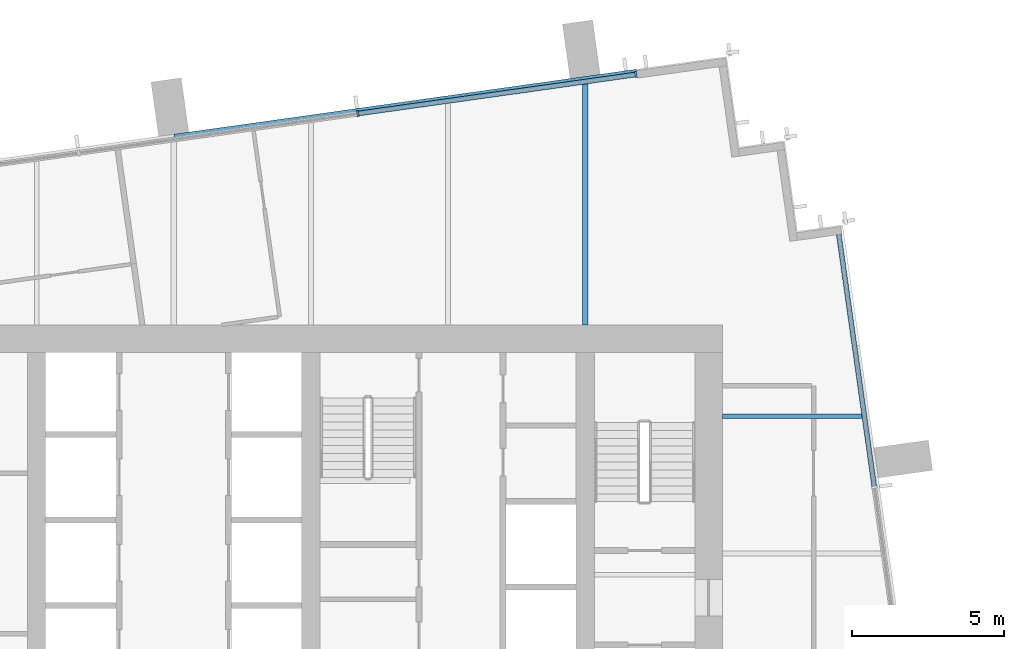
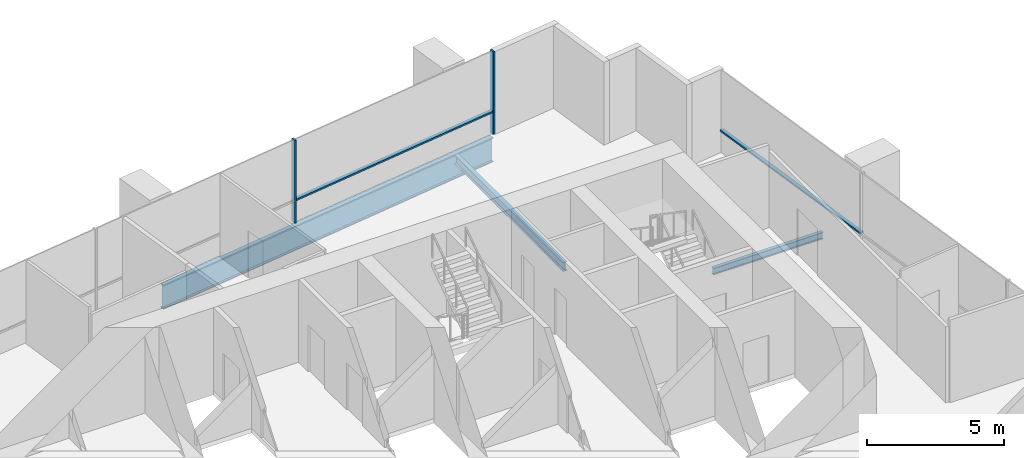
# One storey, part 6 of 12: 4 members, 3 beams, 2 elements without a shape of their own.
"""IFC4 building model written with IfcOpenShell, lengths in metres."""

from ifc_helpers import new_model, si_unit, direction, frame, origin, origin_2d, place, context, subcontext, project, spatial, rectangle, i_section, extrude, material, layer, layer_set, material_profile, profile_set, type_object, element, aggregate, save


model = new_model("IFC4")

# Units and contexts
model_context = context("Model", 3, precision=1e-05, world=origin(), true_north=direction((0.0, 1.0)))
body_context = subcontext(model_context, "Body", "Model", "MODEL_VIEW")
ifc_project = project(units=[si_unit("LENGTHUNIT", "METRE"), si_unit("AREAUNIT", "SQUARE_METRE"), si_unit("VOLUMEUNIT", "CUBIC_METRE"), si_unit("PLANEANGLEUNIT", "RADIAN"), si_unit("MASSUNIT", "GRAM", prefix="KILO")], contexts=[model_context])

# Site, building, storey
site_placement = place(None, origin())
site = spatial("IfcSite", under=ifc_project, at=site_placement, CompositionType="ELEMENT")
building_placement = place(site_placement, origin())
building = spatial("IfcBuilding", under=site, at=building_placement, Name="Rattan Terrace Tower", CompositionType="ELEMENT")
storey_placement = place(building_placement, frame((0.0, 0.0, 282.39990234375)))
storey = spatial("IfcBuildingStorey", under=building, at=storey_placement, Name="L65", CompositionType="ELEMENT", Elevation=282.39990234375)

# Beams
ifc_material_1 = material(Name="Steel S460", Category="steel")
ifc_material_profile_1 = material_profile(ifc_material_1, i_section(OverallWidth=0.179931640625, OverallDepth=1.10009765625, WebThickness=0.01611328125, FlangeThickness=0.050048828125, at=origin_2d()), Name="PG 1100x180-16-50")
ifc_profile_set_1 = profile_set([ifc_material_profile_1], Name="Steel S460")
beam_type_1 = type_object("IfcBeamType", Name="Frame edge girder PG 1100x180-16-50", PredefinedType="SPANDREL", material=ifc_profile_set_1)
beam_1_placement = place(storey_placement, frame((15.18896484375, 15.801025390625, -0.75), z_axis=(-0.99026622182, -0.139186241857, 0.0), x_axis=(0.139186241857, -0.99026622182, 0.0)))
element("IfcBeam", 1, at=beam_1_placement, inside=storey, type_object=beam_type_1, Name="gdr-L65-006", PredefinedType="SPANDREL", context=body_context, shape_type="SweptSolid", body=[
    extrude(i_section(OverallWidth=0.179931640625, OverallDepth=1.10009765625, WebThickness=0.01611328125, FlangeThickness=0.050048828125, at=origin_2d()), origin(), (0.0, 0.0, 1.0), 15.3251953125),
])
ifc_material_2 = material(Name="Steel S355", Category="steel")
ifc_material_profile_2 = material_profile(ifc_material_2, i_section(OverallWidth=0.14990234375, OverallDepth=0.300048828125, WebThickness=0.007080078125, FlangeThickness=0.0107421875, FilletRadius=0.014892578125, at=origin_2d()), Name="IPE 300")
ifc_profile_set_2 = profile_set([ifc_material_profile_2], Name="Steel S355")
beam_type_2 = type_object("IfcBeamType", Name="Frame floor beam IPE 300", PredefinedType="JOIST", material=ifc_profile_set_2)
beam_2_placement = place(storey_placement, frame((18.0, 4.5, -0.349853515625), z_axis=(1.0, 0.0, 0.0), x_axis=(0.0, 1.0, 0.0)))
element("IfcBeam", 2, at=beam_2_placement, inside=storey, type_object=beam_type_2, Name="bm-L65-014", PredefinedType="JOIST", context=body_context, shape_type="SweptSolid", body=[
    extrude(i_section(OverallWidth=0.14990234375, OverallDepth=0.300048828125, WebThickness=0.007080078125, FlangeThickness=0.0107421875, FilletRadius=0.014892578125, at=origin_2d()), origin(), (0.0, 0.0, 1.0), 4.64404296875),
])
ifc_material_3 = material(Name="Steel S355", Category="steel")
ifc_material_profile_3 = material_profile(ifc_material_3, i_section(OverallWidth=0.179931640625, OverallDepth=0.39990234375, WebThickness=0.008544921875, FlangeThickness=0.013427734375, FilletRadius=0.02099609375, at=origin_2d()), Name="IPE 400")
ifc_profile_set_3 = profile_set([ifc_material_profile_3], Name="Steel S355")
beam_type_3 = type_object("IfcBeamType", Name="Frame floor beam IPE 400", PredefinedType="JOIST", material=ifc_profile_set_3)
beam_3_placement = place(storey_placement, frame((13.5, 7.5, -0.39990234375), z_axis=(0.0, 1.0, 0.0), x_axis=(-1.0, 0.0, 0.0)))
element("IfcBeam", 3, at=beam_3_placement, inside=storey, type_object=beam_type_3, Name="bm-L65-021", PredefinedType="JOIST", context=body_context, shape_type="SweptSolid", body=[
    extrude(i_section(OverallWidth=0.179931640625, OverallDepth=0.39990234375, WebThickness=0.008544921875, FlangeThickness=0.013427734375, FilletRadius=0.02099609375, at=origin_2d()), origin(), (0.0, 0.0, 1.0), 7.9599609375),
])

# Curtain wall, members
ifc_material_4 = material(Name="Aluminium and laminated glass", Category="aluminium")
ifc_layer = layer(ifc_material_4, 0.199951171875)
ifc_layer_set = layer_set([ifc_layer], Name="High-Zone Unitised Curtain Wall")
curtain_wall_type = type_object("IfcCurtainWallType", Name="High-Zone Unitised Curtain Wall", PredefinedType="NOTDEFINED", material=ifc_layer_set)
curtain_wall_1_placement = place(storey_placement, origin())
curtain_wall_1 = element("IfcCurtainWall", 4, at=curtain_wall_1_placement, inside=storey, type_object=curtain_wall_type, Name="High-zone curtain wall L65-2", PredefinedType="NOTDEFINED")
ifc_material_5 = material(Name="Aluminium", Category="aluminium")
ifc_material_profile_4 = material_profile(ifc_material_5, rectangle(XDim=0.070068359375, YDim=0.199951171875, at=origin_2d()), Name="Aluminium 70x200")
ifc_profile_set_4 = profile_set([ifc_material_profile_4], Name="Aluminium")
member_type_1 = type_object("IfcMemberType", Name="High-Zone CW Mullion 70x200", PredefinedType="MULLION", material=ifc_profile_set_4)
member_1_placement = place(storey_placement, frame((15.1650390625, 15.716796875, 0.0), z_axis=(0.0, 0.0, 1.0), x_axis=(-0.990265894013, -0.139188574079, 0.0)))
member_1 = element("IfcMember", 5, at=member_1_placement, type_object=member_type_1, Name="Mullion cwl-L65-002.1", PredefinedType="MULLION", context=body_context, shape_type="SweptSolid", body=[
    extrude(rectangle(XDim=0.070068359375, YDim=0.199951171875, at=origin_2d()), origin(), (0.0, 0.0, 1.0), 3.7001953125),
])
member_2_placement = place(storey_placement, frame((6.040771484375, 14.434326171875, 0.0), z_axis=(0.0, 0.0, 1.0), x_axis=(-0.990265894013, -0.139188574079, 0.0)))
member_2 = element("IfcMember", 6, at=member_2_placement, type_object=member_type_1, Name="Mullion cwl-L65-002.2", PredefinedType="MULLION", context=body_context, shape_type="SweptSolid", body=[
    extrude(rectangle(XDim=0.070068359375, YDim=0.199951171875, at=origin_2d()), origin(), (0.0, 0.0, 1.0), 3.7001953125),
])

# Curtain wall, member
curtain_wall_2_placement = place(storey_placement, origin())
curtain_wall_2 = element("IfcCurtainWall", 7, at=curtain_wall_2_placement, inside=storey, type_object=curtain_wall_type, Name="High-zone curtain wall L65-1", PredefinedType="NOTDEFINED")
ifc_material_6 = material(Name="Aluminium", Category="aluminium")
ifc_material_profile_5 = material_profile(ifc_material_6, rectangle(XDim=0.159912109375, YDim=0.070068359375, at=origin_2d()), Name="Aluminium 160x70")
ifc_profile_set_5 = profile_set([ifc_material_profile_5], Name="Aluminium")
member_type_2 = type_object("IfcMemberType", Name="High-Zone CW Transom 160x70", PredefinedType="USERDEFINED", material=ifc_profile_set_5)
member_3_placement = place(storey_placement, frame((22.985107421875, 2.212158203125, 1.0), z_axis=(-0.139198740199, 0.990264465043, 0.0), x_axis=(-0.990264465043, -0.139198740199, 0.0)))
member_3 = element("IfcMember", 8, at=member_3_placement, type_object=member_type_2, Name="Transom cwl-L65-001.3", ObjectType="TRANSOM", PredefinedType="USERDEFINED", context=body_context, shape_type="SweptSolid", body=[
    extrude(rectangle(XDim=0.159912109375, YDim=0.070068359375, at=origin_2d()), origin(), (0.0, 0.0, 1.0), 8.336181640625),
])
aggregate(curtain_wall_2, [member_3])

# Member
member_4_placement = place(storey_placement, frame((15.13037109375, 15.7119140625, 1.0), z_axis=(-0.990266298783, -0.139185694291, 0.0), x_axis=(0.139185694291, -0.990266298783, 0.0)))
member_4 = element("IfcMember", 9, at=member_4_placement, type_object=member_type_2, Name="Transom cwl-L65-002.1", ObjectType="TRANSOM", PredefinedType="USERDEFINED", context=body_context, shape_type="SweptSolid", body=[
    extrude(rectangle(XDim=0.159912109375, YDim=0.070068359375, at=origin_2d()), origin(), (0.0, 0.0, 1.0), 9.14404296875),
])

aggregate(curtain_wall_1, [member_1, member_2, member_4])

save(model, "model.ifc")
